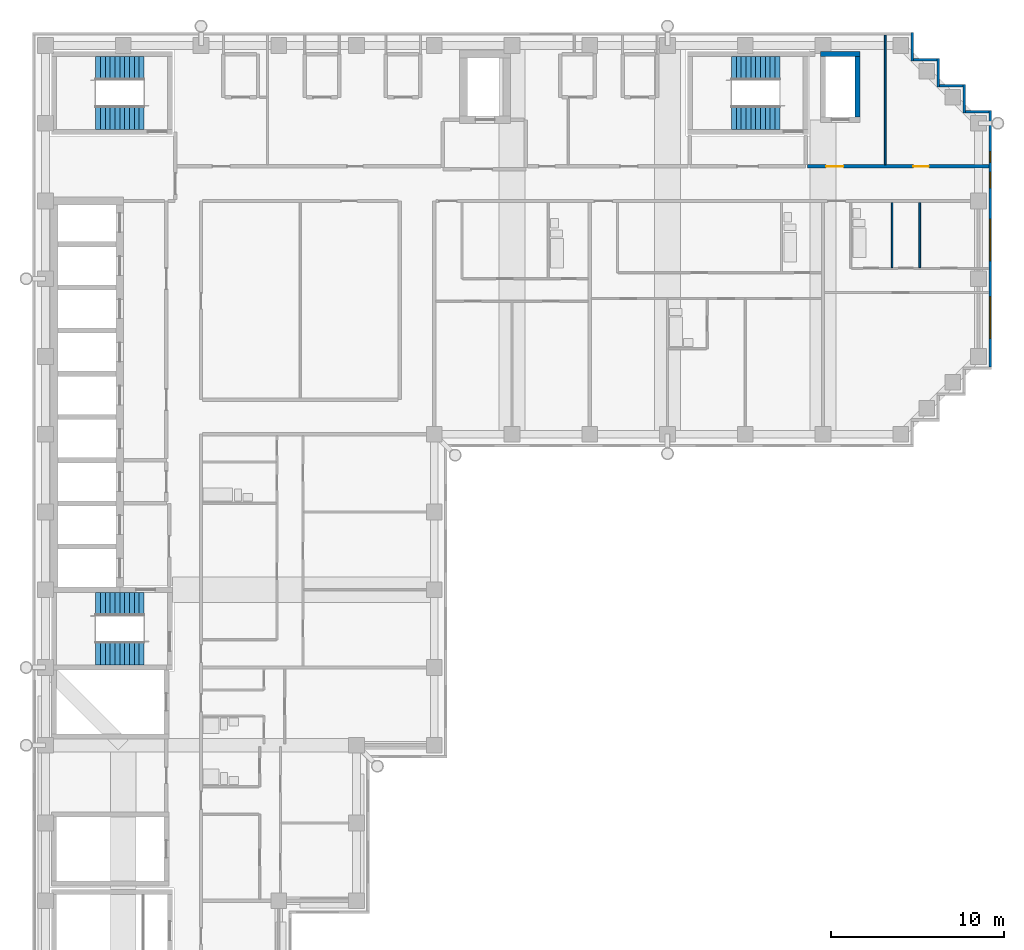
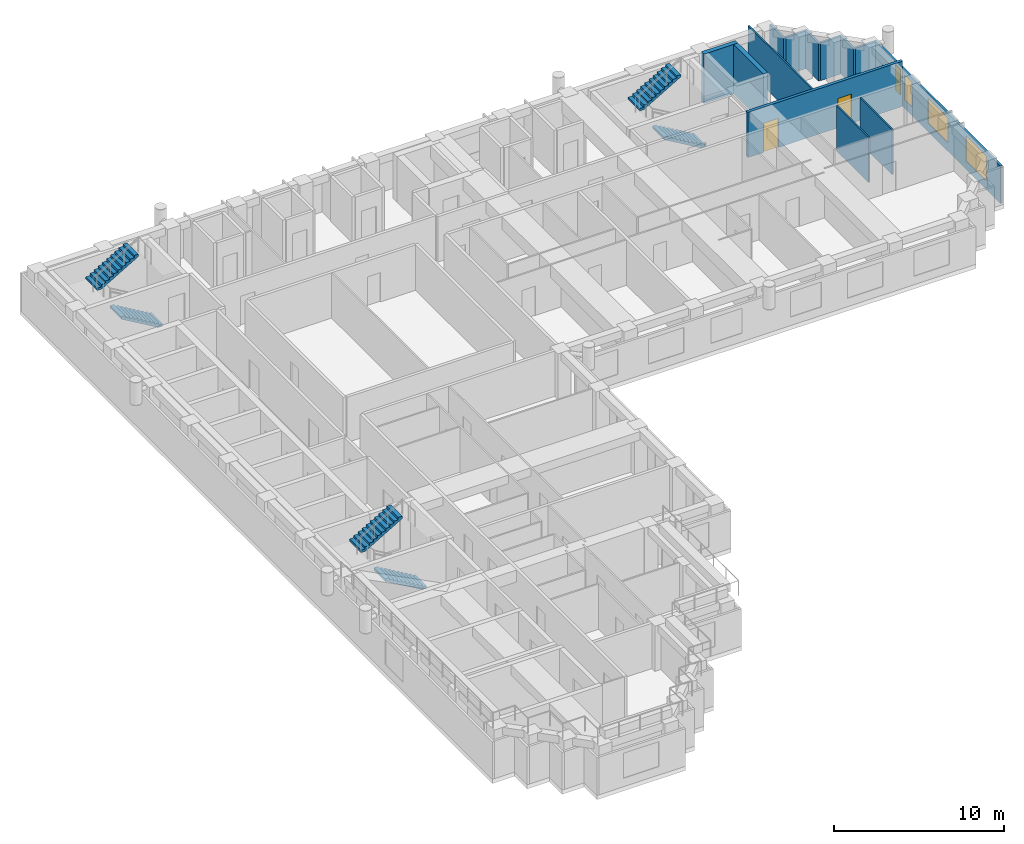
# One storey, part 8 of 11: 13 walls, 6 stair flights, 4 windows, 2 doors, 6 openings, 3 elements without a shape of their own.
"""IFC4 building model written with IfcOpenShell, lengths in metres."""

from ifc_helpers import new_model, si_unit, direction, frame, frame_2d, origin, place, context, subcontext, project, spatial, polyline, rectangle, outline, extrude, material, layer, layer_set, type_object, element, fill, aggregate, save


model = new_model("IFC4")

# Units and contexts
model_context = context("Model", 3, precision=1e-05, world=origin(), true_north=direction((0.0, 1.0)))
body_context = subcontext(model_context, "Body", "Model", "MODEL_VIEW")
ifc_project = project(units=[si_unit("LENGTHUNIT", "METRE"), si_unit("AREAUNIT", "SQUARE_METRE"), si_unit("VOLUMEUNIT", "CUBIC_METRE"), si_unit("PLANEANGLEUNIT", "RADIAN"), si_unit("MASSUNIT", "GRAM", prefix="KILO")], contexts=[model_context])

# Site, building, storey
site_placement = place(None, origin())
site = spatial("IfcSite", under=ifc_project, at=site_placement, CompositionType="ELEMENT")
building_placement = place(site_placement, origin())
building = spatial("IfcBuilding", under=site, at=building_placement, Name="Firuza Court", CompositionType="ELEMENT")
storey_placement = place(building_placement, frame((0.0, 0.0, 207.800048828125)))
storey = spatial("IfcBuildingStorey", under=building, at=storey_placement, Name="L53", CompositionType="ELEMENT", Elevation=207.800048828125)

# Walls
ifc_material_1 = material(Name="Moisture-resistant gypsum board partition")
ifc_layer_1 = layer(ifc_material_1, 0.10009765625)
ifc_layer_set_1 = layer_set([ifc_layer_1], Name="Moisture-resistant gypsum board partition")
wall_type_1 = type_object("IfcWallType", Name="Bathroom partition 100", PredefinedType="PLUMBINGWALL", material=ifc_layer_set_1)
wall_1_placement = place(storey_placement, frame((49.0, 45.64990234375, 0.0), z_axis=(0.0, 0.0, 1.0), x_axis=(0.0, 1.0, 0.0)))
element("IfcWall", 1, at=wall_1_placement, inside=storey, type_object=wall_type_1, Name="Bathroom partition 100 L53", PredefinedType="PLUMBINGWALL", context=body_context, shape_type="SweptSolid", body=[
    extrude(rectangle(XDim=3.75, YDim=0.10009765625, at=frame_2d((1.875, 0.0))), origin(), (0.0, 0.0, 1.0), 3.25),
])
ifc_material_2 = material(Name="Concrete C50/60", Category="concrete")
ifc_layer_2 = layer(ifc_material_2, 0.300048828125)
ifc_layer_set_2 = layer_set([ifc_layer_2], Name="Concrete C50/60")
wall_type_2 = type_object("IfcWallType", Name="Core wall 300 C50/60", PredefinedType="SHEAR", material=ifc_layer_set_2)
wall_2_placement = place(storey_placement, frame((44.85009765625, 58.0, -0.300048828125), z_axis=(0.0, 0.0, 1.0), x_axis=(1.0, 0.0, 0.0)))
element("IfcWall", 2, at=wall_2_placement, inside=storey, type_object=wall_type_2, Name="Core wall riser L53", PredefinedType="SHEAR", context=body_context, shape_type="SweptSolid", body=[
    extrude(rectangle(XDim=2.2998046875, YDim=0.300048828125, at=frame_2d((1.14990234375, 0.0))), origin(), (0.0, 0.0, 1.0), 3.550048828125),
])
wall_3_placement = place(storey_placement, frame((47.0, 54.35009765625, -0.300048828125), z_axis=(0.0, 0.0, 1.0), x_axis=(0.0, 1.0, 0.0)))
element("IfcWall", 3, at=wall_3_placement, inside=storey, type_object=wall_type_2, Name="Core wall riser L53", PredefinedType="SHEAR", context=body_context, shape_type="SweptSolid", body=[
    extrude(rectangle(XDim=3.5, YDim=0.300048828125, at=frame_2d((1.75, 0.0))), origin(), (0.0, 0.0, 1.0), 3.550048828125),
])

# Wall, openings, doors
ifc_material_3 = material(Name="Blockwork, plastered both sides", Category="masonry")
ifc_layer_3 = layer(ifc_material_3, 0.199951171875)
ifc_layer_set_3 = layer_set([ifc_layer_3], Name="Blockwork, plastered both sides")
wall_type_3 = type_object("IfcWallType", Name="Corridor wall 200", PredefinedType="PARTITIONING", material=ifc_layer_set_3)
wall_4_placement = place(storey_placement, frame((44.10009765625, 51.5, 0.0), z_axis=(0.0, 0.0, 1.0), x_axis=(1.0, 0.0, 0.0)))
wall_4 = element("IfcWall", 4, at=wall_4_placement, inside=storey, type_object=wall_type_3, Name="Corridor wall 200 L53", PredefinedType="PARTITIONING", context=body_context, shape_type="SweptSolid", body=[
    extrude(rectangle(XDim=10.5, YDim=0.199951171875, at=frame_2d((5.25, 0.0))), origin(), (0.0, 0.0, 1.0), 3.25),
])
opening_1_placement = place(wall_4_placement, frame((1.074951171875, 0.0, 0.0)))
opening_1 = element("IfcOpeningElement", 5, at=opening_1_placement, cuts=wall_4, Name="Opening D53057", PredefinedType="OPENING", context=body_context, shape_type="SweptSolid", body=[
    extrude(rectangle(XDim=1.0, YDim=2.10009765625, at=frame_2d((0.5, 1.050048828125))), frame((0.0, 0.11181640625, 0.0), z_axis=(0.0, -1.0, 0.0), x_axis=(1.0, 0.0, 0.0)), (0.0, 0.0, 1.0), 0.223876953125),
])
opening_2_placement = place(wall_4_placement, frame((6.125, 0.0, 0.0)))
opening_2 = element("IfcOpeningElement", 6, at=opening_2_placement, cuts=wall_4, Name="Opening D53058", PredefinedType="OPENING", context=body_context, shape_type="SweptSolid", body=[
    extrude(rectangle(XDim=0.89990234375, YDim=2.10009765625, at=frame_2d((0.449951171875, 1.050048828125))), frame((0.0, 0.11181640625, 0.0), z_axis=(0.0, -1.0, 0.0), x_axis=(1.0, 0.0, 0.0)), (0.0, 0.0, 1.0), 0.223876953125),
])
ifc_material_4 = material(Name="Timber door leaf in hardwood frame", Category="wood")
door_type_1 = type_object("IfcDoorType", Name="Room door 900 EI 30", OperationType="SINGLE_SWING_LEFT", PredefinedType="DOOR", material=ifc_material_4)
door_1_placement = place(opening_2_placement, origin())
door_1 = element("IfcDoor", 7, at=door_1_placement, inside=storey, type_object=door_type_1, Name="Meeting room door", OperationType="SINGLE_SWING_LEFT", OverallHeight=2.10009765625, OverallWidth=0.89990234375, PredefinedType="DOOR", context=body_context, shape_type="SweptSolid", body=[
    extrude(rectangle(XDim=0.89990234375, YDim=2.10009765625, at=frame_2d((0.449951171875, 1.050048828125))), frame((0.0, 0.02490234375, 0.0), z_axis=(0.0, -1.0, 0.0), x_axis=(1.0, 0.0, 0.0)), (0.0, 0.0, 1.0), 0.050048828125),
])
fill(opening_2, door_1)
ifc_material_5 = material(Name="Timber door leaf in hardwood frame", Category="wood")
door_type_2 = type_object("IfcDoorType", Name="Store door 1000", OperationType="SINGLE_SWING_LEFT", PredefinedType="DOOR", material=ifc_material_5)
door_2_placement = place(opening_1_placement, origin())
door_2 = element("IfcDoor", 8, at=door_2_placement, inside=storey, type_object=door_type_2, Name="Cleaner's store door", OperationType="SINGLE_SWING_LEFT", OverallHeight=2.10009765625, OverallWidth=1.0, PredefinedType="DOOR", context=body_context, shape_type="SweptSolid", body=[
    extrude(rectangle(XDim=1.0, YDim=2.10009765625, at=frame_2d((0.5, 1.050048828125))), frame((0.0, 0.02490234375, 0.0), z_axis=(0.0, -1.0, 0.0), x_axis=(1.0, 0.0, 0.0)), (0.0, 0.0, 1.0), 0.050048828125),
])
fill(opening_1, door_2)

# Walls
ifc_material_6 = material(Name="Timber stud partition, plasterboard both sides", Category="wood")
ifc_layer_4 = layer(ifc_material_6, 0.10009765625)
ifc_layer_set_4 = layer_set([ifc_layer_4], Name="Timber stud partition, plasterboard both sides")
wall_type_4 = type_object("IfcWallType", Name="Partition wall 100", PredefinedType="PARTITIONING", material=ifc_layer_set_4)
wall_5_placement = place(storey_placement, frame((50.60009765625, 45.64990234375, 0.0), z_axis=(0.0, 0.0, 1.0), x_axis=(0.0, 1.0, 0.0)))
element("IfcWall", 9, at=wall_5_placement, inside=storey, type_object=wall_type_4, Name="Partition wall 100 L53", PredefinedType="PARTITIONING", context=body_context, shape_type="SweptSolid", body=[
    extrude(rectangle(XDim=3.75, YDim=0.10009765625, at=frame_2d((1.875, 0.0))), origin(), (0.0, 0.0, 1.0), 3.25),
])
wall_6_placement = place(storey_placement, frame((48.60009765625, 51.60009765625, 0.0), z_axis=(0.0, 0.0, 1.0), x_axis=(0.0, 1.0, 0.0)))
element("IfcWall", 10, at=wall_6_placement, inside=storey, type_object=wall_type_4, Name="Partition wall 100 L53", PredefinedType="PARTITIONING", context=body_context, shape_type="SweptSolid", body=[
    extrude(rectangle(XDim=7.5, YDim=0.10009765625, at=frame_2d((3.75, 0.0))), origin(), (0.0, 0.0, 1.0), 3.25),
])

# Wall, openings, windows
ifc_material_7 = material(Name="Ceramic tile", Category="ceramic")
ifc_layer_5 = layer(ifc_material_7, 0.02001953125)
ifc_material_8 = material(Name="Mineral wool insulation", Category="insulation")
ifc_layer_6 = layer(ifc_material_8, 0.050048828125)
ifc_material_9 = material(Name="Concrete C40/50 precast", Category="concrete")
ifc_layer_7 = layer(ifc_material_9, 0.080078125)
ifc_layer_set_5 = layer_set([ifc_layer_5, ifc_layer_6, ifc_layer_7], Name="Concrete C40/50 precast")
wall_type_5 = type_object("IfcWallType", Name="Precast cladding wall with turquoise TILE PANEL face 150", PredefinedType="STANDARD", material=ifc_layer_set_5)
wall_7_placement = place(storey_placement, frame((54.675048828125, 39.89990234375, 0.0), z_axis=(0.0, 0.0, 1.0), x_axis=(0.0, 1.0, 0.0)))
wall_7 = element("IfcWall", 11, at=wall_7_placement, inside=storey, type_object=wall_type_5, Name="Facade wall L53 E", PredefinedType="STANDARD", context=body_context, shape_type="SweptSolid", body=[
    extrude(rectangle(XDim=14.85009765625, YDim=0.14990234375, at=frame_2d((7.425048828125, 0.0))), origin(), (0.0, 0.0, 1.0), 2.699951171875),
])
opening_3_placement = place(wall_7_placement, frame((1.64990234375, 0.0, 0.60009765625)))
opening_3 = element("IfcOpeningElement", 12, at=opening_3_placement, cuts=wall_7, Name="Opening W1", PredefinedType="OPENING", context=body_context, shape_type="SweptSolid", body=[
    extrude(rectangle(XDim=2.39990234375, YDim=1.800048828125, at=frame_2d((1.199951171875, 0.89990234375))), frame((0.0, 0.0869140625, 0.0), z_axis=(0.0, -1.0, 0.0), x_axis=(1.0, 0.0, 0.0)), (0.0, 0.0, 1.0), 0.173828125),
])
opening_4_placement = place(wall_7_placement, frame((6.14990234375, 0.0, 0.60009765625)))
opening_4 = element("IfcOpeningElement", 13, at=opening_4_placement, cuts=wall_7, Name="Opening W1", PredefinedType="OPENING", context=body_context, shape_type="SweptSolid", body=[
    extrude(rectangle(XDim=2.39990234375, YDim=1.800048828125, at=frame_2d((1.199951171875, 0.89990234375))), frame((0.0, 0.0869140625, 0.0), z_axis=(0.0, -1.0, 0.0), x_axis=(1.0, 0.0, 0.0)), (0.0, 0.0, 1.0), 0.173828125),
])
opening_5_placement = place(wall_7_placement, frame((10.375, 0.0, 0.60009765625)))
opening_5 = element("IfcOpeningElement", 14, at=opening_5_placement, cuts=wall_7, Name="Opening W3", PredefinedType="OPENING", context=body_context, shape_type="SweptSolid", body=[
    extrude(rectangle(XDim=0.89990234375, YDim=1.800048828125, at=frame_2d((0.449951171875, 0.89990234375))), frame((0.0, 0.0869140625, 0.0), z_axis=(0.0, -1.0, 0.0), x_axis=(1.0, 0.0, 0.0)), (0.0, 0.0, 1.0), 0.173828125),
])
opening_6_placement = place(wall_7_placement, frame((11.847900390625, 0.0, 0.60009765625)))
opening_6 = element("IfcOpeningElement", 15, at=opening_6_placement, cuts=wall_7, Name="Opening W4", PredefinedType="OPENING", context=body_context, shape_type="SweptSolid", body=[
    extrude(rectangle(XDim=0.60009765625, YDim=1.800048828125, at=frame_2d((0.300048828125, 0.89990234375))), frame((0.0, 0.0869140625, 0.0), z_axis=(0.0, -1.0, 0.0), x_axis=(1.0, 0.0, 0.0)), (0.0, 0.0, 1.0), 0.173828125),
])
ifc_material_10 = material(Name="Aluminium frame, triple clear glazing", Category="aluminium")
window_type_1 = type_object("IfcWindowType", Name="Window W1 2400 x 1800", PartitioningType="SINGLE_PANEL", PredefinedType="WINDOW", material=ifc_material_10)
window_1_placement = place(opening_3_placement, origin())
window_1 = element("IfcWindow", 16, at=window_1_placement, inside=storey, type_object=window_type_1, Name="Window L53", OverallHeight=1.800048828125, OverallWidth=2.39990234375, PartitioningType="SINGLE_PANEL", PredefinedType="WINDOW", context=body_context, shape_type="SweptSolid", body=[
    extrude(rectangle(XDim=2.39990234375, YDim=1.800048828125, at=frame_2d((1.199951171875, 0.89990234375))), frame((0.0, 0.030029296875, 0.0), z_axis=(0.0, -1.0, 0.0), x_axis=(1.0, 0.0, 0.0)), (0.0, 0.0, 1.0), 0.06005859375),
])
fill(opening_3, window_1)
window_2_placement = place(opening_4_placement, origin())
window_2 = element("IfcWindow", 17, at=window_2_placement, inside=storey, type_object=window_type_1, Name="Window L53", OverallHeight=1.800048828125, OverallWidth=2.39990234375, PartitioningType="SINGLE_PANEL", PredefinedType="WINDOW", context=body_context, shape_type="SweptSolid", body=[
    extrude(rectangle(XDim=2.39990234375, YDim=1.800048828125, at=frame_2d((1.199951171875, 0.89990234375))), frame((0.0, 0.030029296875, 0.0), z_axis=(0.0, -1.0, 0.0), x_axis=(1.0, 0.0, 0.0)), (0.0, 0.0, 1.0), 0.06005859375),
])
fill(opening_4, window_2)
ifc_material_11 = material(Name="Aluminium frame, triple clear glazing", Category="aluminium")
window_type_2 = type_object("IfcWindowType", Name="Window W3 900 x 1800", PartitioningType="SINGLE_PANEL", PredefinedType="WINDOW", material=ifc_material_11)
window_3_placement = place(opening_5_placement, origin())
window_3 = element("IfcWindow", 18, at=window_3_placement, inside=storey, type_object=window_type_2, Name="Window L53", OverallHeight=1.800048828125, OverallWidth=0.89990234375, PartitioningType="SINGLE_PANEL", PredefinedType="WINDOW", context=body_context, shape_type="SweptSolid", body=[
    extrude(rectangle(XDim=0.89990234375, YDim=1.800048828125, at=frame_2d((0.449951171875, 0.89990234375))), frame((0.0, 0.030029296875, 0.0), z_axis=(0.0, -1.0, 0.0), x_axis=(1.0, 0.0, 0.0)), (0.0, 0.0, 1.0), 0.06005859375),
])
fill(opening_5, window_3)
ifc_material_12 = material(Name="Aluminium frame, triple clear glazing", Category="aluminium")
window_type_3 = type_object("IfcWindowType", Name="Window W4 600 x 1800", PartitioningType="SINGLE_PANEL", PredefinedType="WINDOW", material=ifc_material_12)
window_4_placement = place(opening_6_placement, origin())
window_4 = element("IfcWindow", 19, at=window_4_placement, inside=storey, type_object=window_type_3, Name="Window L53", OverallHeight=1.800048828125, OverallWidth=0.60009765625, PartitioningType="SINGLE_PANEL", PredefinedType="WINDOW", context=body_context, shape_type="SweptSolid", body=[
    extrude(rectangle(XDim=0.60009765625, YDim=1.800048828125, at=frame_2d((0.300048828125, 0.89990234375))), frame((0.0, 0.030029296875, 0.0), z_axis=(0.0, -1.0, 0.0), x_axis=(1.0, 0.0, 0.0)), (0.0, 0.0, 1.0), 0.06005859375),
])
fill(opening_6, window_4)

# Walls
wall_8_placement = place(storey_placement, frame((54.60009765625, 54.675048828125, 0.0), z_axis=(0.0, 0.0, 1.0), x_axis=(-1.0, 0.0, 0.0)))
element("IfcWall", 20, at=wall_8_placement, inside=storey, type_object=wall_type_5, Name="Facade wall L53 N", PredefinedType="STANDARD", context=body_context, shape_type="SweptSolid", body=[
    extrude(rectangle(XDim=1.35009765625, YDim=0.14990234375, at=frame_2d((0.675048828125, 0.0))), origin(), (0.0, 0.0, 1.0), 2.699951171875),
])
wall_9_placement = place(storey_placement, frame((53.175048828125, 54.60009765625, 0.0), z_axis=(0.0, 0.0, 1.0), x_axis=(0.0, 1.0, 0.0)))
element("IfcWall", 21, at=wall_9_placement, inside=storey, type_object=wall_type_5, Name="Facade wall L53 E", PredefinedType="STANDARD", context=body_context, shape_type="SweptSolid", body=[
    extrude(rectangle(XDim=1.64990234375, YDim=0.14990234375, at=frame_2d((0.824951171875, 0.0))), origin(), (0.0, 0.0, 1.0), 2.699951171875),
])
wall_10_placement = place(storey_placement, frame((53.10009765625, 56.175048828125, 0.0), z_axis=(0.0, 0.0, 1.0), x_axis=(-1.0, 0.0, 0.0)))
element("IfcWall", 22, at=wall_10_placement, inside=storey, type_object=wall_type_5, Name="Facade wall L53 N", PredefinedType="STANDARD", context=body_context, shape_type="SweptSolid", body=[
    extrude(rectangle(XDim=1.35009765625, YDim=0.14990234375, at=frame_2d((0.675048828125, 0.0))), origin(), (0.0, 0.0, 1.0), 2.699951171875),
])
wall_11_placement = place(storey_placement, frame((51.675048828125, 56.10009765625, 0.0), z_axis=(0.0, 0.0, 1.0), x_axis=(0.0, 1.0, 0.0)))
element("IfcWall", 23, at=wall_11_placement, inside=storey, type_object=wall_type_5, Name="Facade wall L53 E", PredefinedType="STANDARD", context=body_context, shape_type="SweptSolid", body=[
    extrude(rectangle(XDim=1.64990234375, YDim=0.14990234375, at=frame_2d((0.824951171875, 0.0))), origin(), (0.0, 0.0, 1.0), 2.699951171875),
])
wall_12_placement = place(storey_placement, frame((51.60009765625, 57.675048828125, 0.0), z_axis=(0.0, 0.0, 1.0), x_axis=(-1.0, 0.0, 0.0)))
element("IfcWall", 24, at=wall_12_placement, inside=storey, type_object=wall_type_5, Name="Facade wall L53 N", PredefinedType="STANDARD", context=body_context, shape_type="SweptSolid", body=[
    extrude(rectangle(XDim=1.35009765625, YDim=0.14990234375, at=frame_2d((0.675048828125, 0.0))), origin(), (0.0, 0.0, 1.0), 2.699951171875),
])
wall_13_placement = place(storey_placement, frame((50.175048828125, 57.60009765625, 0.0), z_axis=(0.0, 0.0, 1.0), x_axis=(0.0, 1.0, 0.0)))
element("IfcWall", 25, at=wall_13_placement, inside=storey, type_object=wall_type_5, Name="Facade wall L53 E", PredefinedType="STANDARD", context=body_context, shape_type="SweptSolid", body=[
    extrude(rectangle(XDim=1.64990234375, YDim=0.14990234375, at=frame_2d((0.824951171875, 0.0))), origin(), (0.0, 0.0, 1.0), 2.699951171875),
])

# Stair, stair flights
ifc_material_13 = material(Name="Concrete C40/50 precast", Category="concrete")
stair_type = type_object("IfcStairType", Name="Stair 1350 x 3600 2 flights", PredefinedType="HALF_TURN_STAIR", material=ifc_material_13)
stair_1_placement = place(storey_placement, origin())
stair_1 = element("IfcStair", 26, at=stair_1_placement, inside=storey, type_object=stair_type, Name="Stair 1 L53", PredefinedType="HALF_TURN_STAIR")
ifc_material_14 = material(Name="Concrete C40/50 precast", Category="concrete")
stair_flight_type = type_object("IfcStairFlightType", Name="Flight 1350 riser 163.6", PredefinedType="STRAIGHT", material=ifc_material_14)
stair_flight_1_placement = place(storey_placement, frame((42.5, 54.324951171875, 0.0), z_axis=(0.0, 0.0, 1.0), x_axis=(-1.0, 0.0, 0.0)))
stair_flight_1 = element("IfcStairFlight", 27, at=stair_flight_1_placement, type_object=stair_flight_type, Name="S1 flight 1", NumberOfRisers=11, NumberOfTreads=10, PredefinedType="STRAIGHT", RiserHeight=0.163636364, TreadLength=0.28, context=body_context, shape_type="SweptSolid", body=[
    extrude(outline(polyline([(0.0, 0.0), (0.0, 0.16357421875), (0.280029296875, 0.16357421875), (0.280029296875, 0.327392578125), (0.56005859375, 0.327392578125), (0.56005859375, 0.490966796875), (0.840087890625, 0.490966796875), (0.840087890625, 0.654541015625), (1.1201171875, 0.654541015625), (1.1201171875, 0.818115234375), (1.39990234375, 0.818115234375), (1.39990234375, 0.98193359375), (1.679931640625, 0.98193359375), (1.679931640625, 1.1455078125), (1.9599609375, 1.1455078125), (1.9599609375, 1.30908203125), (2.239990234375, 1.30908203125), (2.239990234375, 1.47265625), (2.52001953125, 1.47265625), (2.52001953125, 1.636474609375), (2.800048828125, 1.636474609375), (2.800048828125, 1.800048828125), (2.800048828125, 1.462646484375), (0.297119140625, 0.0), (0.0, 0.0)])), frame((0.0, 0.675048828125, 0.0), z_axis=(0.0, -1.0, 0.0), x_axis=(1.0, 0.0, 0.0)), (0.0, 0.0, 1.0), 1.35009765625),
])
stair_flight_2_placement = place(storey_placement, frame((39.699951171875, 57.175048828125, 1.800048828125), z_axis=(0.0, 0.0, 1.0), x_axis=(1.0, 0.0, 0.0)))
stair_flight_2 = element("IfcStairFlight", 28, at=stair_flight_2_placement, type_object=stair_flight_type, Name="S1 flight 2", NumberOfRisers=11, NumberOfTreads=10, PredefinedType="STRAIGHT", RiserHeight=0.163636364, TreadLength=0.28, context=body_context, shape_type="SweptSolid", body=[
    extrude(outline(polyline([(0.0, 0.0), (0.0, 0.16357421875), (0.280029296875, 0.16357421875), (0.280029296875, 0.327392578125), (0.56005859375, 0.327392578125), (0.56005859375, 0.490966796875), (0.840087890625, 0.490966796875), (0.840087890625, 0.654541015625), (1.1201171875, 0.654541015625), (1.1201171875, 0.818115234375), (1.39990234375, 0.818115234375), (1.39990234375, 0.98193359375), (1.679931640625, 0.98193359375), (1.679931640625, 1.1455078125), (1.9599609375, 1.1455078125), (1.9599609375, 1.30908203125), (2.239990234375, 1.30908203125), (2.239990234375, 1.47265625), (2.52001953125, 1.47265625), (2.52001953125, 1.636474609375), (2.800048828125, 1.636474609375), (2.800048828125, 1.800048828125), (2.800048828125, 1.462646484375), (0.297119140625, 0.0), (0.0, 0.0)])), frame((0.0, 0.675048828125, 0.0), z_axis=(0.0, -1.0, 0.0), x_axis=(1.0, 0.0, 0.0)), (0.0, 0.0, 1.0), 1.35009765625),
])
aggregate(stair_1, [stair_flight_1, stair_flight_2])

stair_2_placement = place(storey_placement, origin())
stair_2 = element("IfcStair", 29, at=stair_2_placement, inside=storey, type_object=stair_type, Name="Stair 2 L53", PredefinedType="HALF_TURN_STAIR")
stair_flight_3_placement = place(storey_placement, frame((5.699951171875, 23.324951171875, 0.0), z_axis=(0.0, 0.0, 1.0), x_axis=(-1.0, 0.0, 0.0)))
stair_flight_3 = element("IfcStairFlight", 30, at=stair_flight_3_placement, type_object=stair_flight_type, Name="S2 flight 1", NumberOfRisers=11, NumberOfTreads=10, PredefinedType="STRAIGHT", RiserHeight=0.163636364, TreadLength=0.28, context=body_context, shape_type="SweptSolid", body=[
    extrude(outline(polyline([(0.0, 0.0), (0.0, 0.16357421875), (0.280029296875, 0.16357421875), (0.280029296875, 0.327392578125), (0.56005859375, 0.327392578125), (0.56005859375, 0.490966796875), (0.840087890625, 0.490966796875), (0.840087890625, 0.654541015625), (1.1201171875, 0.654541015625), (1.1201171875, 0.818115234375), (1.39990234375, 0.818115234375), (1.39990234375, 0.98193359375), (1.679931640625, 0.98193359375), (1.679931640625, 1.1455078125), (1.9599609375, 1.1455078125), (1.9599609375, 1.30908203125), (2.239990234375, 1.30908203125), (2.239990234375, 1.47265625), (2.52001953125, 1.47265625), (2.52001953125, 1.636474609375), (2.800048828125, 1.636474609375), (2.800048828125, 1.800048828125), (2.800048828125, 1.462646484375), (0.297119140625, 0.0), (0.0, 0.0)])), frame((0.0, 0.675048828125, 0.0), z_axis=(0.0, -1.0, 0.0), x_axis=(1.0, 0.0, 0.0)), (0.0, 0.0, 1.0), 1.35009765625),
])
stair_flight_4_placement = place(storey_placement, frame((2.89990234375, 26.175048828125, 1.800048828125), z_axis=(0.0, 0.0, 1.0), x_axis=(1.0, 0.0, 0.0)))
stair_flight_4 = element("IfcStairFlight", 31, at=stair_flight_4_placement, type_object=stair_flight_type, Name="S2 flight 2", NumberOfRisers=11, NumberOfTreads=10, PredefinedType="STRAIGHT", RiserHeight=0.163636364, TreadLength=0.28, context=body_context, shape_type="SweptSolid", body=[
    extrude(outline(polyline([(0.0, 0.0), (0.0, 0.16357421875), (0.280029296875, 0.16357421875), (0.280029296875, 0.327392578125), (0.56005859375, 0.327392578125), (0.56005859375, 0.490966796875), (0.840087890625, 0.490966796875), (0.840087890625, 0.654541015625), (1.1201171875, 0.654541015625), (1.1201171875, 0.818115234375), (1.39990234375, 0.818115234375), (1.39990234375, 0.98193359375), (1.679931640625, 0.98193359375), (1.679931640625, 1.1455078125), (1.9599609375, 1.1455078125), (1.9599609375, 1.30908203125), (2.239990234375, 1.30908203125), (2.239990234375, 1.47265625), (2.52001953125, 1.47265625), (2.52001953125, 1.636474609375), (2.800048828125, 1.636474609375), (2.800048828125, 1.800048828125), (2.800048828125, 1.462646484375), (0.297119140625, 0.0), (0.0, 0.0)])), frame((0.0, 0.675048828125, 0.0), z_axis=(0.0, -1.0, 0.0), x_axis=(1.0, 0.0, 0.0)), (0.0, 0.0, 1.0), 1.35009765625),
])
aggregate(stair_2, [stair_flight_3, stair_flight_4])

stair_3_placement = place(storey_placement, origin())
stair_3 = element("IfcStair", 32, at=stair_3_placement, inside=storey, type_object=stair_type, Name="Stair 3 L53", PredefinedType="HALF_TURN_STAIR")
stair_flight_5_placement = place(storey_placement, frame((5.699951171875, 54.324951171875, 0.0), z_axis=(0.0, 0.0, 1.0), x_axis=(-1.0, 0.0, 0.0)))
stair_flight_5 = element("IfcStairFlight", 33, at=stair_flight_5_placement, type_object=stair_flight_type, Name="S3 flight 1", NumberOfRisers=11, NumberOfTreads=10, PredefinedType="STRAIGHT", RiserHeight=0.163636364, TreadLength=0.28, context=body_context, shape_type="SweptSolid", body=[
    extrude(outline(polyline([(0.0, 0.0), (0.0, 0.16357421875), (0.280029296875, 0.16357421875), (0.280029296875, 0.327392578125), (0.56005859375, 0.327392578125), (0.56005859375, 0.490966796875), (0.840087890625, 0.490966796875), (0.840087890625, 0.654541015625), (1.1201171875, 0.654541015625), (1.1201171875, 0.818115234375), (1.39990234375, 0.818115234375), (1.39990234375, 0.98193359375), (1.679931640625, 0.98193359375), (1.679931640625, 1.1455078125), (1.9599609375, 1.1455078125), (1.9599609375, 1.30908203125), (2.239990234375, 1.30908203125), (2.239990234375, 1.47265625), (2.52001953125, 1.47265625), (2.52001953125, 1.636474609375), (2.800048828125, 1.636474609375), (2.800048828125, 1.800048828125), (2.800048828125, 1.462646484375), (0.297119140625, 0.0), (0.0, 0.0)])), frame((0.0, 0.675048828125, 0.0), z_axis=(0.0, -1.0, 0.0), x_axis=(1.0, 0.0, 0.0)), (0.0, 0.0, 1.0), 1.35009765625),
])
stair_flight_6_placement = place(storey_placement, frame((2.89990234375, 57.175048828125, 1.800048828125), z_axis=(0.0, 0.0, 1.0), x_axis=(1.0, 0.0, 0.0)))
stair_flight_6 = element("IfcStairFlight", 34, at=stair_flight_6_placement, type_object=stair_flight_type, Name="S3 flight 2", NumberOfRisers=11, NumberOfTreads=10, PredefinedType="STRAIGHT", RiserHeight=0.163636364, TreadLength=0.28, context=body_context, shape_type="SweptSolid", body=[
    extrude(outline(polyline([(0.0, 0.0), (0.0, 0.16357421875), (0.280029296875, 0.16357421875), (0.280029296875, 0.327392578125), (0.56005859375, 0.327392578125), (0.56005859375, 0.490966796875), (0.840087890625, 0.490966796875), (0.840087890625, 0.654541015625), (1.1201171875, 0.654541015625), (1.1201171875, 0.818115234375), (1.39990234375, 0.818115234375), (1.39990234375, 0.98193359375), (1.679931640625, 0.98193359375), (1.679931640625, 1.1455078125), (1.9599609375, 1.1455078125), (1.9599609375, 1.30908203125), (2.239990234375, 1.30908203125), (2.239990234375, 1.47265625), (2.52001953125, 1.47265625), (2.52001953125, 1.636474609375), (2.800048828125, 1.636474609375), (2.800048828125, 1.800048828125), (2.800048828125, 1.462646484375), (0.297119140625, 0.0), (0.0, 0.0)])), frame((0.0, 0.675048828125, 0.0), z_axis=(0.0, -1.0, 0.0), x_axis=(1.0, 0.0, 0.0)), (0.0, 0.0, 1.0), 1.35009765625),
])
aggregate(stair_3, [stair_flight_5, stair_flight_6])

save(model, "model.ifc")
